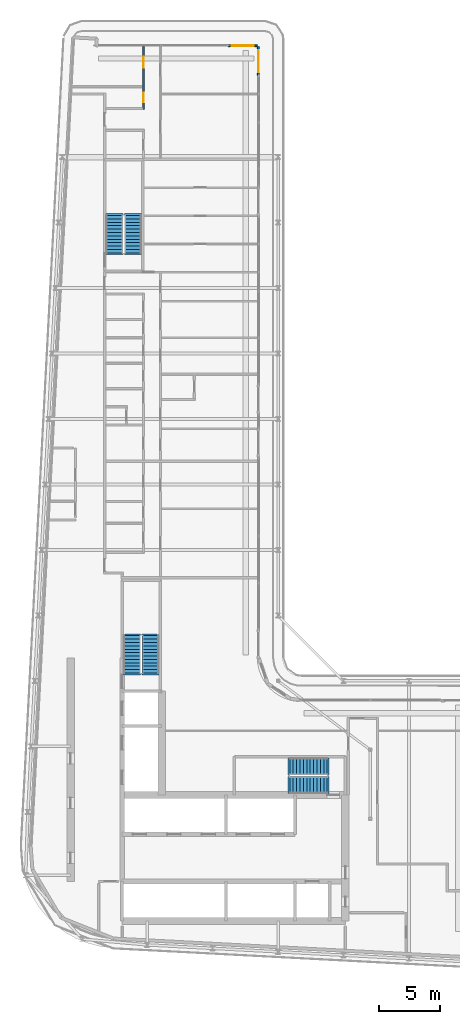
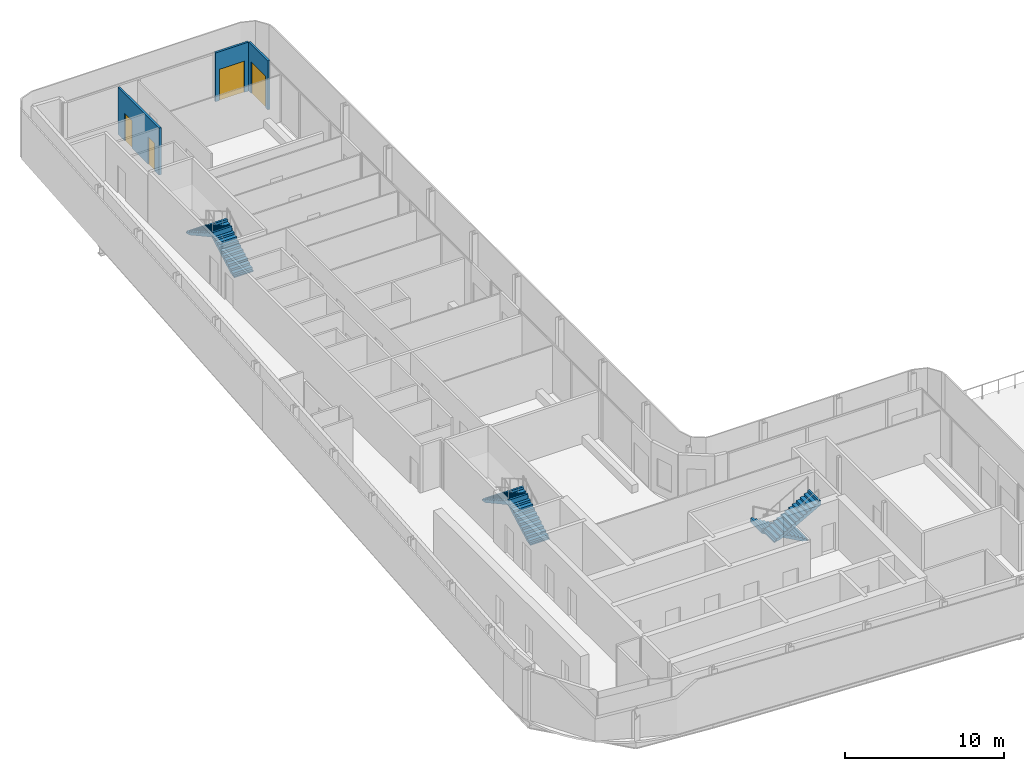
# One storey, part 15 of 22: 6 stair flights, 4 doors, 3 walls, 4 openings, 3 elements without a shape of their own.
"""IFC4 building model written with IfcOpenShell, lengths in metres."""

from ifc_helpers import new_model, si_unit, direction, frame, frame_2d, origin, place, context, subcontext, project, spatial, polyline, rectangle, outline, extrude, source, transform, mapped, material, layer, layer_set, type_object, element, fill, aggregate, save


model = new_model("IFC4")

# Units and contexts
model_context = context("Model", 3, precision=1e-05, world=origin(), true_north=direction((0.0, 1.0)))
body_context = subcontext(model_context, "Body", "Model", "MODEL_VIEW")
ifc_project = project(units=[si_unit("LENGTHUNIT", "METRE"), si_unit("AREAUNIT", "SQUARE_METRE"), si_unit("VOLUMEUNIT", "CUBIC_METRE"), si_unit("PLANEANGLEUNIT", "RADIAN"), si_unit("MASSUNIT", "GRAM", prefix="KILO")], contexts=[model_context])

# Site, building, storey
site_placement = place(None, origin())
site = spatial("IfcSite", under=ifc_project, at=site_placement, CompositionType="ELEMENT")
building_placement = place(site_placement, origin())
building = spatial("IfcBuilding", under=site, at=building_placement, Name="Kheshtan School and Residences Tower", CompositionType="ELEMENT")
storey_placement = place(building_placement, frame((0.0, 0.0, 274.699951171875)))
storey = spatial("IfcBuildingStorey", under=building, at=storey_placement, Name="L64", CompositionType="ELEMENT", Elevation=274.699951171875)

# Wall, opening, door
ifc_material_1 = material(Name="Aluminium frame wall with insulated infill", Category="aluminium")
ifc_layer_1 = layer(ifc_material_1, 0.14990234375)
ifc_layer_set_1 = layer_set([ifc_layer_1], Name="Glazing frame wall 150")
wall_type_1 = type_object("IfcWallType", Name="Glazing frame wall 150", PredefinedType="SOLIDWALL", material=ifc_layer_set_1)
wall_1_placement = place(storey_placement, frame((43.5, 97.97509765625, 0.0), z_axis=(0.0, 0.0, 1.0), x_axis=(1.0, 0.0, 0.0)))
wall_1 = element("IfcWall", 1, at=wall_1_placement, inside=storey, type_object=wall_type_1, Name="Balcony door wall L64 7.1", PredefinedType="SOLIDWALL", context=body_context, shape_type="SweptSolid", body=[
    extrude(rectangle(XDim=2.39990234375, YDim=0.14990234375, at=frame_2d((1.199951171875, 0.0))), origin(), (0.0, 0.0, 1.0), 3.75),
])
opening_1_placement = place(wall_1_placement, frame((0.300048828125, 0.0, 0.0)))
opening_1 = element("IfcOpeningElement", 2, at=opening_1_placement, cuts=wall_1, Name="Opening BD", PredefinedType="OPENING", context=body_context, shape_type="SweptSolid", body=[
    extrude(rectangle(XDim=1.800048828125, YDim=2.39990234375, at=frame_2d((0.89990234375, 1.199951171875))), frame((0.0, 0.0849609375, 0.0), z_axis=(0.0, -1.0, 0.0), x_axis=(1.0, 0.0, 0.0)), (0.0, 0.0, 1.0), 0.169921875),
])
ifc_material_2 = material(Name="Clear low-e glass in thermally broken aluminium frame", Category="aluminium")
door_type_1 = type_object("IfcDoorType", Name="Balcony sliding door", OperationType="SLIDING_TO_LEFT", PredefinedType="DOOR", material=ifc_material_2)
shared_shape_1 = source(origin(), body_context, "Body", "SweptSolid", [
    extrude(rectangle(XDim=1.800048828125, YDim=2.39990234375, at=frame_2d((0.89990234375, 1.199951171875))), frame((0.0, 0.02490234375, 0.0), z_axis=(0.0, -1.0, 0.0), x_axis=(1.0, 0.0, 0.0)), (0.0, 0.0, 1.0), 0.050048828125),
])
door_1_placement = place(opening_1_placement, origin())
door_1 = element("IfcDoor", 3, at=door_1_placement, inside=storey, type_object=door_type_1, Name="Balcony door L64 7.1", OperationType="SLIDING_TO_LEFT", OverallHeight=2.39990234375, OverallWidth=1.800048828125, PredefinedType="DOOR", context=body_context, shape_type="MappedRepresentation", body=[
    mapped(shared_shape_1, transform((0.0, 0.0, 0.0), x_axis=(1.0, 0.0, 0.0), y_axis=(0.0, 1.0, 0.0), z_axis=(0.0, 0.0, 1.0), scale=1.0)),
])
fill(opening_1, door_1)

wall_2_placement = place(storey_placement, frame((45.97509765625, 97.89990234375, 0.0), z_axis=(0.0, 0.0, 1.0), x_axis=(0.0, -1.0, 0.0)))
wall_2 = element("IfcWall", 4, at=wall_2_placement, inside=storey, type_object=wall_type_1, Name="Balcony door wall L64 8.1", PredefinedType="SOLIDWALL", context=body_context, shape_type="SweptSolid", body=[
    extrude(rectangle(XDim=2.39990234375, YDim=0.14990234375, at=frame_2d((1.199951171875, 0.0))), origin(), (0.0, 0.0, 1.0), 3.75),
])
opening_2_placement = place(wall_2_placement, frame((0.300048828125, 0.0, 0.0)))
opening_2 = element("IfcOpeningElement", 5, at=opening_2_placement, cuts=wall_2, Name="Opening BD", PredefinedType="OPENING", context=body_context, shape_type="SweptSolid", body=[
    extrude(rectangle(XDim=1.800048828125, YDim=2.39990234375, at=frame_2d((0.89990234375, 1.199951171875))), frame((0.0, 0.0849609375, 0.0), z_axis=(0.0, -1.0, 0.0), x_axis=(1.0, 0.0, 0.0)), (0.0, 0.0, 1.0), 0.169921875),
])
door_2_placement = place(opening_2_placement, origin())
door_2 = element("IfcDoor", 6, at=door_2_placement, inside=storey, type_object=door_type_1, Name="Balcony door L64 8.1", OperationType="SLIDING_TO_LEFT", OverallHeight=2.39990234375, OverallWidth=1.800048828125, PredefinedType="DOOR", context=body_context, shape_type="MappedRepresentation", body=[
    mapped(shared_shape_1, transform((0.0, 0.0, 0.0), x_axis=(1.0, 0.0, 0.0), y_axis=(0.0, 1.0, 0.0), z_axis=(0.0, 0.0, 1.0), scale=1.0)),
])
fill(opening_2, door_2)

# Wall, openings, doors
ifc_material_3 = material(Name="Moisture-resistant gypsum board on steel studs", Category="steel")
ifc_layer_2 = layer(ifc_material_3, 0.14990234375)
ifc_layer_set_2 = layer_set([ifc_layer_2], Name="Wet-room partition 150")
wall_type_2 = type_object("IfcWallType", Name="Wet-room partition 150", PredefinedType="PARTITIONING", material=ifc_layer_set_2)
wall_3_placement = place(storey_placement, frame((36.5, 92.72509765625, 0.0), z_axis=(0.0, 0.0, 1.0), x_axis=(0.0, 1.0, 0.0)))
wall_3 = element("IfcWall", 7, at=wall_3_placement, inside=storey, type_object=wall_type_2, Name="Partition L64-027", PredefinedType="PARTITIONING", context=body_context, shape_type="SweptSolid", body=[
    extrude(rectangle(XDim=5.1748046875, YDim=0.14990234375, at=frame_2d((2.58740234375, 0.0))), origin(), (0.0, 0.0, 1.0), 3.60009765625),
])
opening_3_placement = place(wall_3_placement, frame((3.425048828125, 0.0, 0.0)))
opening_3 = element("IfcOpeningElement", 8, at=opening_3_placement, cuts=wall_3, Name="Opening D64-028", PredefinedType="OPENING", context=body_context, shape_type="SweptSolid", body=[
    extrude(rectangle(XDim=0.89990234375, YDim=2.10009765625, at=frame_2d((0.449951171875, 1.050048828125))), frame((0.0, 0.0849609375, 0.0), z_axis=(0.0, -1.0, 0.0), x_axis=(1.0, 0.0, 0.0)), (0.0, 0.0, 1.0), 0.169921875),
])
opening_4_placement = place(wall_3_placement, frame((0.574951171875, 0.0, 0.0)))
opening_4 = element("IfcOpeningElement", 9, at=opening_4_placement, cuts=wall_3, Name="Opening D64-030", PredefinedType="OPENING", context=body_context, shape_type="SweptSolid", body=[
    extrude(rectangle(XDim=0.800048828125, YDim=2.10009765625, at=frame_2d((0.39990234375, 1.050048828125))), frame((0.0, 0.0849609375, 0.0), z_axis=(0.0, -1.0, 0.0), x_axis=(1.0, 0.0, 0.0)), (0.0, 0.0, 1.0), 0.169921875),
])
ifc_material_4 = material(Name="Veneered timber door leaf", Category="wood")
door_type_2 = type_object("IfcDoorType", Name="Door 800 x 2100", OperationType="SINGLE_SWING_LEFT", PredefinedType="DOOR", material=ifc_material_4)
shared_shape_2 = source(origin(), body_context, "Body", "SweptSolid", [
    extrude(rectangle(XDim=0.800048828125, YDim=2.10009765625, at=frame_2d((0.39990234375, 1.050048828125))), frame((0.0, 0.02490234375, 0.0), z_axis=(0.0, -1.0, 0.0), x_axis=(1.0, 0.0, 0.0)), (0.0, 0.0, 1.0), 0.050048828125),
])
door_3_placement = place(opening_4_placement, origin())
door_3 = element("IfcDoor", 10, at=door_3_placement, inside=storey, type_object=door_type_2, Name="Door D64-030", OperationType="SINGLE_SWING_RIGHT", OverallHeight=2.10009765625, OverallWidth=0.800048828125, PredefinedType="DOOR", context=body_context, shape_type="MappedRepresentation", body=[
    mapped(shared_shape_2, transform((0.0, 0.0, 0.0), x_axis=(1.0, 0.0, 0.0), y_axis=(0.0, 1.0, 0.0), z_axis=(0.0, 0.0, 1.0), scale=1.0)),
])
fill(opening_4, door_3)
door_type_3 = type_object("IfcDoorType", Name="Door 900 x 2100", OperationType="SINGLE_SWING_LEFT", PredefinedType="DOOR", material=ifc_material_4)
shared_shape_3 = source(origin(), body_context, "Body", "SweptSolid", [
    extrude(rectangle(XDim=0.89990234375, YDim=2.10009765625, at=frame_2d((0.449951171875, 1.050048828125))), frame((0.0, 0.02490234375, 0.0), z_axis=(0.0, -1.0, 0.0), x_axis=(1.0, 0.0, 0.0)), (0.0, 0.0, 1.0), 0.050048828125),
])
door_4_placement = place(opening_3_placement, origin())
door_4 = element("IfcDoor", 11, at=door_4_placement, inside=storey, type_object=door_type_3, Name="Door D64-028", OperationType="SINGLE_SWING_RIGHT", OverallHeight=2.10009765625, OverallWidth=0.89990234375, PredefinedType="DOOR", context=body_context, shape_type="MappedRepresentation", body=[
    mapped(shared_shape_3, transform((0.0, 0.0, 0.0), x_axis=(1.0, 0.0, 0.0), y_axis=(0.0, 1.0, 0.0), z_axis=(0.0, 0.0, 1.0), scale=1.0)),
])
fill(opening_3, door_4)

# Stair, stair flights
ifc_material_5 = material(Name="Concrete C40/50", Category="concrete")
stair_type = type_object("IfcStairType", Name="Exit stair, half-turn", PredefinedType="HALF_TURN_STAIR", material=ifc_material_5)
stair_1_placement = place(storey_placement, origin())
stair_1 = element("IfcStair", 12, at=stair_1_placement, inside=storey, type_object=stair_type, Name="L64 Protected Exit Stair ST1", PredefinedType="HALF_TURN_STAIR")
ifc_layer_3 = layer(ifc_material_5, 0.14990234375)
ifc_layer_set_3 = layer_set([ifc_layer_3], Name="Stair flight 1400 Concrete C40/50")
stair_flight_type = type_object("IfcStairFlightType", Name="Stair flight 1400 Concrete C40/50", PredefinedType="STRAIGHT", material=ifc_layer_set_3)
stair_flight_1_placement = place(storey_placement, frame((51.64990234375, 38.550048828125, 0.0), z_axis=(0.0, 0.0, 1.0), x_axis=(-1.0, 0.0, 0.0)))
stair_flight_1 = element("IfcStairFlight", 13, at=stair_flight_1_placement, type_object=stair_flight_type, Name="ST1 flight 1", NumberOfRisers=12, NumberOfTreads=11, PredefinedType="STRAIGHT", RiserHeight=0.1625, TreadLength=0.28, context=body_context, shape_type="SweptSolid", body=[
    extrude(outline(polyline([(-0.14990234375, -0.10009765625), (-0.14990234375, 0.0), (0.0, 0.0), (0.0, 0.16259765625), (0.280029296875, 0.16259765625), (0.280029296875, 0.324951171875), (0.56005859375, 0.324951171875), (0.56005859375, 0.487548828125), (0.840087890625, 0.487548828125), (0.840087890625, 0.64990234375), (1.1201171875, 0.64990234375), (1.1201171875, 0.8125), (1.39990234375, 0.8125), (1.39990234375, 0.97509765625), (1.679931640625, 0.97509765625), (1.679931640625, 1.137451171875), (1.9599609375, 1.137451171875), (1.9599609375, 1.300048828125), (2.239990234375, 1.300048828125), (2.239990234375, 1.46240234375), (2.52001953125, 1.46240234375), (2.52001953125, 1.625), (2.800048828125, 1.625), (2.800048828125, 1.78759765625), (3.080078125, 1.78759765625), (3.080078125, 1.949951171875), (3.080078125, 1.969970703125), (3.22998046875, 1.969970703125), (3.22998046875, 1.6142578125), (0.298583984375, 0.0), (-0.14990234375, -0.10009765625)])), frame((0.0, 0.699951171875, 0.0), z_axis=(0.0, -1.0, 0.0), x_axis=(1.0, 0.0, 0.0)), (0.0, 0.0, 1.0), 1.39990234375),
])
stair_flight_2_placement = place(storey_placement, frame((48.570068359375, 37.0, 1.949951171875), z_axis=(0.0, 0.0, 1.0), x_axis=(1.0, 0.0, 0.0)))
stair_flight_2 = element("IfcStairFlight", 14, at=stair_flight_2_placement, type_object=stair_flight_type, Name="ST1 flight 2", NumberOfRisers=12, NumberOfTreads=11, PredefinedType="STRAIGHT", RiserHeight=0.1625, TreadLength=0.28, context=body_context, shape_type="SweptSolid", body=[
    extrude(outline(polyline([(-0.14990234375, -0.10009765625), (-0.14990234375, 0.0), (0.0, 0.0), (0.0, 0.16259765625), (0.280029296875, 0.16259765625), (0.280029296875, 0.324951171875), (0.56005859375, 0.324951171875), (0.56005859375, 0.487548828125), (0.840087890625, 0.487548828125), (0.840087890625, 0.64990234375), (1.1201171875, 0.64990234375), (1.1201171875, 0.8125), (1.39990234375, 0.8125), (1.39990234375, 0.97509765625), (1.679931640625, 0.97509765625), (1.679931640625, 1.137451171875), (1.9599609375, 1.137451171875), (1.9599609375, 1.300048828125), (2.239990234375, 1.300048828125), (2.239990234375, 1.46240234375), (2.52001953125, 1.46240234375), (2.52001953125, 1.625), (2.800048828125, 1.625), (2.800048828125, 1.78759765625), (3.080078125, 1.78759765625), (3.080078125, 1.949951171875), (3.080078125, 1.969970703125), (3.22998046875, 1.969970703125), (3.22998046875, 1.6142578125), (0.298583984375, 0.0), (-0.14990234375, -0.10009765625)])), frame((0.0, 0.699951171875, 0.0), z_axis=(0.0, -1.0, 0.0), x_axis=(1.0, 0.0, 0.0)), (0.0, 0.0, 1.0), 1.39990234375),
])
aggregate(stair_1, [stair_flight_1, stair_flight_2])

stair_2_placement = place(storey_placement, origin())
stair_2 = element("IfcStair", 15, at=stair_2_placement, inside=storey, type_object=stair_type, Name="L64 Protected Exit Stair ST2", PredefinedType="HALF_TURN_STAIR")
stair_flight_3_placement = place(storey_placement, frame((37.10009765625, 46.25, 0.0), z_axis=(0.0, 0.0, 1.0), x_axis=(0.0, 1.0, 0.0)))
stair_flight_3 = element("IfcStairFlight", 16, at=stair_flight_3_placement, type_object=stair_flight_type, Name="ST2 flight 1", NumberOfRisers=12, NumberOfTreads=11, PredefinedType="STRAIGHT", RiserHeight=0.1625, TreadLength=0.28, context=body_context, shape_type="SweptSolid", body=[
    extrude(outline(polyline([(-0.14990234375, -0.10009765625), (-0.14990234375, 0.0), (0.0, 0.0), (0.0, 0.16259765625), (0.280029296875, 0.16259765625), (0.280029296875, 0.324951171875), (0.56005859375, 0.324951171875), (0.56005859375, 0.487548828125), (0.840087890625, 0.487548828125), (0.840087890625, 0.64990234375), (1.1201171875, 0.64990234375), (1.1201171875, 0.8125), (1.39990234375, 0.8125), (1.39990234375, 0.97509765625), (1.679931640625, 0.97509765625), (1.679931640625, 1.137451171875), (1.9599609375, 1.137451171875), (1.9599609375, 1.300048828125), (2.239990234375, 1.300048828125), (2.239990234375, 1.46240234375), (2.52001953125, 1.46240234375), (2.52001953125, 1.625), (2.800048828125, 1.625), (2.800048828125, 1.78759765625), (3.080078125, 1.78759765625), (3.080078125, 1.949951171875), (3.080078125, 1.969970703125), (3.22998046875, 1.969970703125), (3.22998046875, 1.6142578125), (0.298583984375, 0.0), (-0.14990234375, -0.10009765625)])), frame((0.0, 0.699951171875, 0.0), z_axis=(0.0, -1.0, 0.0), x_axis=(1.0, 0.0, 0.0)), (0.0, 0.0, 1.0), 1.39990234375),
])
stair_flight_4_placement = place(storey_placement, frame((35.550048828125, 49.330078125, 1.949951171875), z_axis=(0.0, 0.0, 1.0), x_axis=(0.0, -1.0, 0.0)))
stair_flight_4 = element("IfcStairFlight", 17, at=stair_flight_4_placement, type_object=stair_flight_type, Name="ST2 flight 2", NumberOfRisers=12, NumberOfTreads=11, PredefinedType="STRAIGHT", RiserHeight=0.1625, TreadLength=0.28, context=body_context, shape_type="SweptSolid", body=[
    extrude(outline(polyline([(-0.14990234375, -0.10009765625), (-0.14990234375, 0.0), (0.0, 0.0), (0.0, 0.16259765625), (0.280029296875, 0.16259765625), (0.280029296875, 0.324951171875), (0.56005859375, 0.324951171875), (0.56005859375, 0.487548828125), (0.840087890625, 0.487548828125), (0.840087890625, 0.64990234375), (1.1201171875, 0.64990234375), (1.1201171875, 0.8125), (1.39990234375, 0.8125), (1.39990234375, 0.97509765625), (1.679931640625, 0.97509765625), (1.679931640625, 1.137451171875), (1.9599609375, 1.137451171875), (1.9599609375, 1.300048828125), (2.239990234375, 1.300048828125), (2.239990234375, 1.46240234375), (2.52001953125, 1.46240234375), (2.52001953125, 1.625), (2.800048828125, 1.625), (2.800048828125, 1.78759765625), (3.080078125, 1.78759765625), (3.080078125, 1.949951171875), (3.080078125, 1.969970703125), (3.22998046875, 1.969970703125), (3.22998046875, 1.6142578125), (0.298583984375, 0.0), (-0.14990234375, -0.10009765625)])), frame((0.0, 0.699951171875, 0.0), z_axis=(0.0, -1.0, 0.0), x_axis=(1.0, 0.0, 0.0)), (0.0, 0.0, 1.0), 1.39990234375),
])
aggregate(stair_2, [stair_flight_3, stair_flight_4])

stair_3_placement = place(storey_placement, origin())
stair_3 = element("IfcStair", 18, at=stair_3_placement, inside=storey, type_object=stair_type, Name="L64 Protected Exit Stair ST3", PredefinedType="HALF_TURN_STAIR")
stair_flight_5_placement = place(storey_placement, frame((35.64990234375, 80.89990234375, 0.0), z_axis=(0.0, 0.0, 1.0), x_axis=(0.0, 1.0, 0.0)))
stair_flight_5 = element("IfcStairFlight", 19, at=stair_flight_5_placement, type_object=stair_flight_type, Name="ST3 flight 1", NumberOfRisers=12, NumberOfTreads=11, PredefinedType="STRAIGHT", RiserHeight=0.1625, TreadLength=0.28, context=body_context, shape_type="SweptSolid", body=[
    extrude(outline(polyline([(-0.14990234375, -0.10009765625), (-0.14990234375, 0.0), (0.0, 0.0), (0.0, 0.16259765625), (0.280029296875, 0.16259765625), (0.280029296875, 0.324951171875), (0.56005859375, 0.324951171875), (0.56005859375, 0.487548828125), (0.840087890625, 0.487548828125), (0.840087890625, 0.64990234375), (1.1201171875, 0.64990234375), (1.1201171875, 0.8125), (1.39990234375, 0.8125), (1.39990234375, 0.97509765625), (1.679931640625, 0.97509765625), (1.679931640625, 1.137451171875), (1.9599609375, 1.137451171875), (1.9599609375, 1.300048828125), (2.239990234375, 1.300048828125), (2.239990234375, 1.46240234375), (2.52001953125, 1.46240234375), (2.52001953125, 1.625), (2.800048828125, 1.625), (2.800048828125, 1.78759765625), (3.080078125, 1.78759765625), (3.080078125, 1.949951171875), (3.080078125, 1.969970703125), (3.22998046875, 1.969970703125), (3.22998046875, 1.6142578125), (0.298583984375, 0.0), (-0.14990234375, -0.10009765625)])), frame((0.0, 0.699951171875, 0.0), z_axis=(0.0, -1.0, 0.0), x_axis=(1.0, 0.0, 0.0)), (0.0, 0.0, 1.0), 1.39990234375),
])
stair_flight_6_placement = place(storey_placement, frame((34.10009765625, 83.97998046875, 1.949951171875), z_axis=(0.0, 0.0, 1.0), x_axis=(0.0, -1.0, 0.0)))
stair_flight_6 = element("IfcStairFlight", 20, at=stair_flight_6_placement, type_object=stair_flight_type, Name="ST3 flight 2", NumberOfRisers=12, NumberOfTreads=11, PredefinedType="STRAIGHT", RiserHeight=0.1625, TreadLength=0.28, context=body_context, shape_type="SweptSolid", body=[
    extrude(outline(polyline([(-0.14990234375, -0.10009765625), (-0.14990234375, 0.0), (0.0, 0.0), (0.0, 0.16259765625), (0.280029296875, 0.16259765625), (0.280029296875, 0.324951171875), (0.56005859375, 0.324951171875), (0.56005859375, 0.487548828125), (0.840087890625, 0.487548828125), (0.840087890625, 0.64990234375), (1.1201171875, 0.64990234375), (1.1201171875, 0.8125), (1.39990234375, 0.8125), (1.39990234375, 0.97509765625), (1.679931640625, 0.97509765625), (1.679931640625, 1.137451171875), (1.9599609375, 1.137451171875), (1.9599609375, 1.300048828125), (2.239990234375, 1.300048828125), (2.239990234375, 1.46240234375), (2.52001953125, 1.46240234375), (2.52001953125, 1.625), (2.800048828125, 1.625), (2.800048828125, 1.78759765625), (3.080078125, 1.78759765625), (3.080078125, 1.949951171875), (3.080078125, 1.969970703125), (3.22998046875, 1.969970703125), (3.22998046875, 1.6142578125), (0.298583984375, 0.0), (-0.14990234375, -0.10009765625)])), frame((0.0, 0.699951171875, 0.0), z_axis=(0.0, -1.0, 0.0), x_axis=(1.0, 0.0, 0.0)), (0.0, 0.0, 1.0), 1.39990234375),
])
aggregate(stair_3, [stair_flight_5, stair_flight_6])

save(model, "model.ifc")
